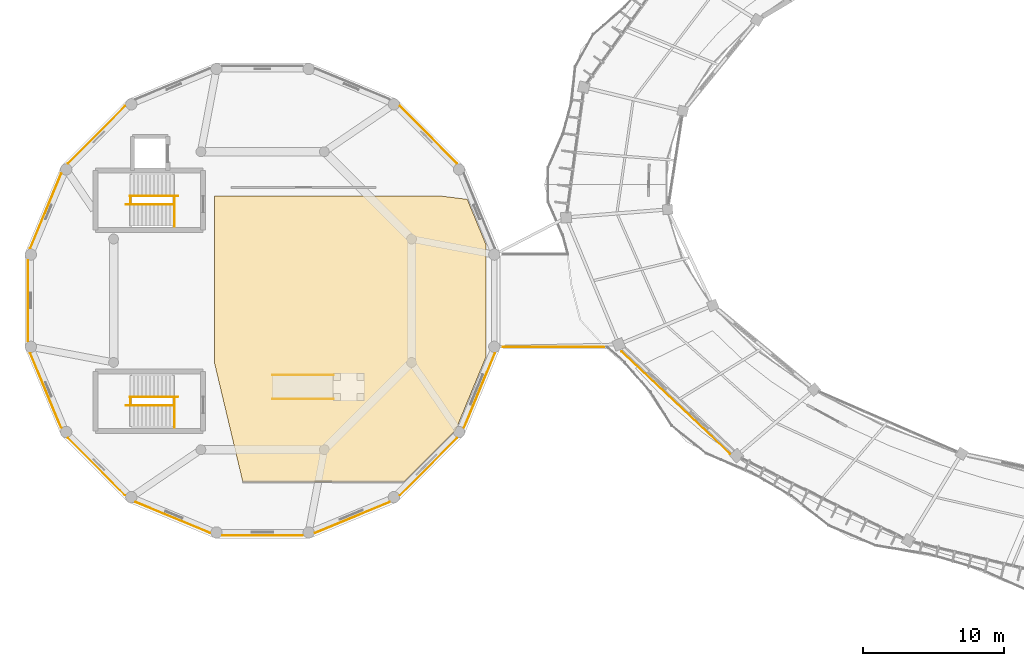
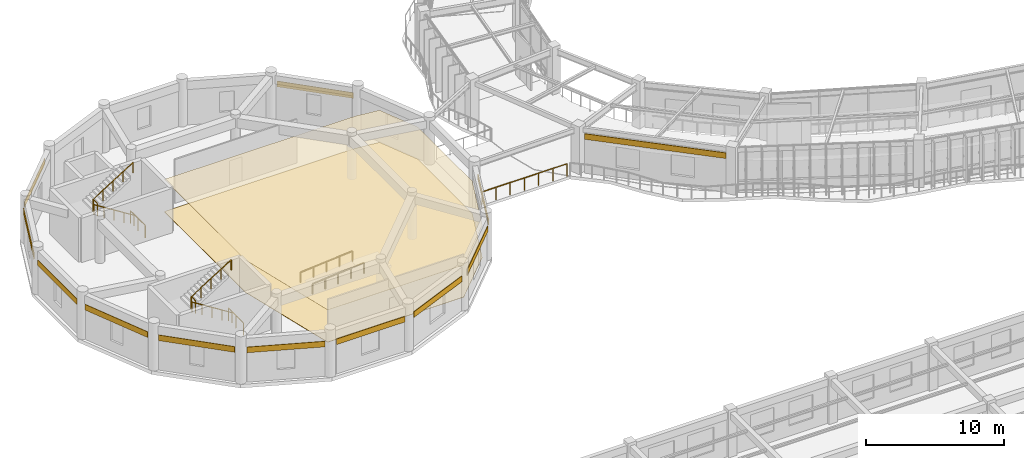
# One storey, part 142 of 152: 14 coverings, 11 railings.
"""IFC4 building model written with IfcOpenShell, lengths in metres."""

import ifcopenshell
import ifcopenshell.guid

model = None  # the IFC model being written
_history = None  # IfcOwnerHistory: only IFC2X3 demands one
_inside = {}  # id of a spatial element -> (the spatial element, [elements in it])
_under = {}  # id of a project, library or spatial element -> (it, [spatial elements below it])
_declared = {}  # id of a project -> (the project, [libraries it declares])
_typed = {}  # id of a type object -> (the type object, [elements of that type])
_made_of = {}  # id of a material, layer set ... -> (it, [elements and type objects made of it])


def new_model(schema):
    """Start an empty IFC model of exactly this schema.

    Asked for "IFC4X3", IfcOpenShell would pick the latest addendum, in which some entities
    have other attributes; the version numbers below select the first issue.
    IFC2X3 requires an IfcOwnerHistory on every rooted entity: one is made here for all.
    """
    global model, _history
    if schema == "IFC4X3":
        model = ifcopenshell.file(schema_version=(4, 3, 0, 0))
    else:
        model = ifcopenshell.file(schema=schema)
    _inside.clear()
    _under.clear()
    _declared.clear()
    _typed.clear()
    _made_of.clear()
    _history = None
    if model.schema == "IFC2X3":
        org = make("IfcOrganization", Name="unknown")
        user = make(
            "IfcPersonAndOrganization",
            ThePerson=make("IfcPerson", FamilyName="unknown"),
            TheOrganization=org,
        )
        app = make(
            "IfcApplication",
            ApplicationDeveloper=org,
            Version="unknown",
            ApplicationFullName="unknown",
            ApplicationIdentifier="unknown",
        )
        _history = make(
            "IfcOwnerHistory",
            OwningUser=user,
            OwningApplication=app,
            ChangeAction="ADDED",
            CreationDate=0,
        )
    return model


def make(cls, **values):
    """One entity of the class cls with the attributes given. An attribute that is None is left unset."""
    return model.create_entity(
        cls, **{name: value for name, value in values.items() if value is not None}
    )


def rooted(cls, **values):
    """An entity with a GlobalId (a new one), such as an element, a storey or a relation."""
    return make(cls, GlobalId=ifcopenshell.guid.new(), OwnerHistory=_history, **values)


def si_unit(unit_type, name, prefix=None):
    """IfcSIUnit, for example si_unit("LENGTHUNIT", "METRE", prefix="MILLI")."""
    return make("IfcSIUnit", UnitType=unit_type, Prefix=prefix, Name=name)


def assignment(units):
    """IfcUnitAssignment: the units of a project."""
    return None if units is None else make("IfcUnitAssignment", Units=units)


def point(xyz):
    """IfcCartesianPoint."""
    return None if xyz is None else make("IfcCartesianPoint", Coordinates=xyz)


def direction(xyz):
    """IfcDirection."""
    return None if xyz is None else make("IfcDirection", DirectionRatios=xyz)


def frame(location, z_axis=None, x_axis=None):
    """IfcAxis2Placement3D, a coordinate frame: its origin and axes. An axis left out is left unset."""
    return make(
        "IfcAxis2Placement3D",
        Location=point(location),
        Axis=direction(z_axis),
        RefDirection=direction(x_axis),
    )


def frame_2d(location, x_axis=None):
    """IfcAxis2Placement2D, a coordinate frame in the plane: its origin and x axis."""
    return make(
        "IfcAxis2Placement2D", Location=point(location), RefDirection=direction(x_axis)
    )


def origin():
    """The frame at (0, 0, 0) with its axes left unset."""
    return frame((0.0, 0.0, 0.0))


def origin_2d():
    """The frame at (0, 0) in the plane with its x axis left unset."""
    return frame_2d((0.0, 0.0))


def place(relative_to, where):
    """IfcLocalPlacement: puts the frame where relative to a parent placement (None: the world)."""
    return make(
        "IfcLocalPlacement", PlacementRelTo=relative_to, RelativePlacement=where
    )


def context(
    kind, dimensions, precision=None, world=None, true_north=None, identifier=None
):
    """IfcGeometricRepresentationContext, for example the 3D "Model" context."""
    return make(
        "IfcGeometricRepresentationContext",
        ContextIdentifier=identifier,
        ContextType=kind,
        CoordinateSpaceDimension=dimensions,
        Precision=precision,
        WorldCoordinateSystem=world,
        TrueNorth=true_north,
    )


def subcontext(parent, identifier, kind, view, scale=None):
    """IfcGeometricRepresentationSubContext, for example "Body" below "Model"."""
    return make(
        "IfcGeometricRepresentationSubContext",
        ContextIdentifier=identifier,
        ContextType=kind,
        ParentContext=parent,
        TargetScale=scale,
        TargetView=view,
    )


def project(units=None, contexts=None):
    """IfcProject with its units and contexts."""
    return rooted(
        "IfcProject",
        Name="project",
        RepresentationContexts=contexts,
        UnitsInContext=assignment(units),
    )


def spatial(cls, under=None, at=None, **own):
    """A site, building, storey or space (cls), placed at a placement, below another one or the project."""
    s = rooted(cls, ObjectPlacement=at, **own)
    if under is not None:
        _under.setdefault(under.id(), (under, []))[1].append(s)
    return s


def polyline(points):
    """IfcPolyline through the points."""
    return make("IfcPolyline", Points=[point(p) for p in points])


def profile(cls, at=None, kind="AREA", **sizes):
    """A parametric profile (cls). Its sizes go by their IFC names, for example OverallWidth=200.0."""
    return make(cls, ProfileType=kind, Position=at, **sizes)


def circle(**sizes):
    """IfcCircleProfileDef."""
    return profile("IfcCircleProfileDef", **sizes)


def outline(outer, holes=None, kind="AREA"):
    """IfcArbitraryClosedProfileDef: a profile drawn as a closed curve; with holes, ...WithVoids."""
    if holes is None:
        return make("IfcArbitraryClosedProfileDef", ProfileType=kind, OuterCurve=outer)
    return make(
        "IfcArbitraryProfileDefWithVoids",
        ProfileType=kind,
        OuterCurve=outer,
        InnerCurves=holes,
    )


def extrude(swept, where, along, depth):
    """IfcExtrudedAreaSolid: the profile swept, set in the frame where, extruded along a direction by depth."""
    return make(
        "IfcExtrudedAreaSolid",
        SweptArea=swept,
        Position=where,
        ExtrudedDirection=direction(along),
        Depth=depth,
    )


def shape(context_of_items, identifier, shape_type, items):
    """IfcShapeRepresentation: the items that make up one representation, for example the "Body"."""
    return make(
        "IfcShapeRepresentation",
        ContextOfItems=context_of_items,
        RepresentationIdentifier=identifier,
        RepresentationType=shape_type,
        Items=items,
    )


def material(Name=None, Category=None):
    """IfcMaterial."""
    return make("IfcMaterial", Name=Name, Category=Category)


def layer(
    of_material, thickness, ventilated=None, Name=None, Category=None, Priority=None
):
    """IfcMaterialLayer: one layer of a wall or slab, of a material (None: an air gap)."""
    return make(
        "IfcMaterialLayer",
        Material=of_material,
        LayerThickness=thickness,
        IsVentilated=ventilated,
        Name=Name,
        Category=Category,
        Priority=Priority,
    )


def layer_set(layers, Name=None):
    """IfcMaterialLayerSet."""
    return make("IfcMaterialLayerSet", MaterialLayers=layers, LayerSetName=Name)


def made_of(thing, what):
    """Note that an element or type object is made of a material, layer set ...; save() writes the relation."""
    if what is not None:
        _made_of.setdefault(what.id(), (what, []))[1].append(thing)
    return thing


def type_object(cls, material=None, **own):
    """A type object (cls), such as IfcWallType, which elements share."""
    return made_of(rooted(cls, **own), material)


def element(
    cls,
    number,
    at=None,
    inside=None,
    cuts=None,
    type_object=None,
    material=None,
    context=None,
    identifier="Body",
    shape_type=None,
    held_by="IfcProductDefinitionShape",
    body=None,
    shapes=None,
    **own,
):
    """One element of the class cls, such as IfcWall. Its Tag is "e" and its number.

    at: its placement. inside: the storey or other place that contains it. cuts: it is an
    opening in that element (IfcRelVoidsElement). A single representation is given by context,
    identifier, shape_type and body (its items); several are given by shapes. held_by: the class
    of the entity that holds the representations. save() writes the other relations.
    """
    e = rooted(cls, Tag="e%d" % number, ObjectPlacement=at, **own)
    if body is not None:
        shapes = [shape(context, identifier, shape_type, body)]
    if shapes is not None:
        e.Representation = make(held_by, Representations=shapes)
    if inside is not None:
        _inside.setdefault(inside.id(), (inside, []))[1].append(e)
    if cuts is not None:
        rooted(
            "IfcRelVoidsElement", RelatingBuildingElement=cuts, RelatedOpeningElement=e
        )
    if type_object is not None:
        _typed.setdefault(type_object.id(), (type_object, []))[1].append(e)
    return made_of(e, material)


def aggregate(whole, parts):
    """IfcRelAggregates: a whole, such as a stair, and the parts it consists of."""
    return rooted("IfcRelAggregates", RelatingObject=whole, RelatedObjects=parts)


def save(model, path):
    """Write the relations noted so far, then the file.

    IfcRelAggregates (storeys below a building ...), IfcRelContainedInSpatialStructure (elements
    in a storey), IfcRelDefinesByType, IfcRelAssociatesMaterial and IfcRelDeclares: one each for
    every whole, place, type object, material and project.
    """
    for whole, parts in _under.values():
        aggregate(whole, parts)
    for where, things in _inside.values():
        rooted(
            "IfcRelContainedInSpatialStructure",
            RelatedElements=things,
            RelatingStructure=where,
        )
    for kind, things in _typed.values():
        rooted("IfcRelDefinesByType", RelatedObjects=things, RelatingType=kind)
    for what, things in _made_of.values():
        rooted("IfcRelAssociatesMaterial", RelatedObjects=things, RelatingMaterial=what)
    for by, libraries in _declared.values():
        rooted("IfcRelDeclares", RelatingContext=by, RelatedDefinitions=libraries)
    model.write(path)


model = new_model("IFC4")

# Units and contexts
model_context = context("Model", 3, precision=1e-05, world=origin(), true_north=direction((0.0, 1.0)))
body_context = subcontext(model_context, "Body", "Model", "MODEL_VIEW")
ifc_project = project(units=[si_unit("LENGTHUNIT", "METRE"), si_unit("AREAUNIT", "SQUARE_METRE"), si_unit("VOLUMEUNIT", "CUBIC_METRE"), si_unit("PLANEANGLEUNIT", "RADIAN"), si_unit("MASSUNIT", "GRAM", prefix="KILO"), si_unit("THERMODYNAMICTEMPERATUREUNIT", "KELVIN"), si_unit("POWERUNIT", "WATT")], contexts=[model_context])

# Site, building, storey
site_placement = place(None, origin())
site = spatial("IfcSite", under=ifc_project, at=site_placement, CompositionType="ELEMENT")
building_placement = place(site_placement, origin())
building = spatial("IfcBuilding", under=site, at=building_placement, Name="Darbajah Civic Hall", CompositionType="ELEMENT")
storey_placement = place(building_placement, frame((0.0, 0.0, 5.39990234375)))
storey = spatial("IfcBuildingStorey", under=building, at=storey_placement, Name="L01", CompositionType="ELEMENT", Elevation=5.39990234375)

# Railings
ifc_material_1 = material(Name="Brushed Bronze Stainless Steel", Category="steel")
railing_type_1 = type_object("IfcRailingType", Name="Brushed Bronze Handrail", PredefinedType="HANDRAIL", material=ifc_material_1)
railing_1_placement = place(storey_placement, frame((10.52001953125, 88.39990234375, 0.175048828125)))
element("IfcRailing", 1, at=railing_1_placement, inside=storey, type_object=railing_type_1, Name="ST04 L01 lower flight handrail", PredefinedType="HANDRAIL", context=body_context, shape_type="SweptSolid", body=[
    extrude(circle(Radius=0.02392578125, at=origin_2d()), frame((-0.023193359375, 0.0, 0.910400390625), z_axis=(-0.845944288966, 0.0, 0.533271281775), x_axis=(0.0, -1.0, 0.0)), (0.0, 0.0, 1.0), 3.91748046875),
    extrude(circle(Radius=0.02099609375, at=origin_2d()), origin(), (0.0, 0.0, 1.0), 0.867919921875),
    extrude(circle(Radius=0.02099609375, at=origin_2d()), frame((-0.840087890625, 0.0, 0.529541015625)), (0.0, 0.0, 1.0), 0.867919921875),
    extrude(circle(Radius=0.02099609375, at=origin_2d()), frame((-1.68017578125, 0.0, 1.05908203125)), (0.0, 0.0, 1.0), 0.867919921875),
    extrude(circle(Radius=0.02099609375, at=origin_2d()), frame((-2.52001953125, 0.0, 1.588623046875)), (0.0, 0.0, 1.0), 0.867919921875),
    extrude(circle(Radius=0.02099609375, at=origin_2d()), frame((-3.360107421875, 0.0, 2.1181640625)), (0.0, 0.0, 1.0), 0.867919921875),
])
railing_2_placement = place(storey_placement, frame((7.43994140625, 89.0, 2.275146484375)))
element("IfcRailing", 2, at=railing_2_placement, inside=storey, type_object=railing_type_1, Name="ST04 L01 upper flight handrail", PredefinedType="HANDRAIL", context=body_context, shape_type="SweptSolid", body=[
    extrude(circle(Radius=0.02392578125, at=origin_2d()), frame((0.023193359375, 0.0, 0.910400390625), z_axis=(0.845944288966, 0.0, 0.533271281775), x_axis=(0.0, 1.0, 0.0)), (0.0, 0.0, 1.0), 3.91748046875),
    extrude(circle(Radius=0.02099609375, at=origin_2d()), origin(), (0.0, 0.0, 1.0), 0.867919921875),
    extrude(circle(Radius=0.02099609375, at=origin_2d()), frame((0.840087890625, 0.0, 0.529541015625)), (0.0, 0.0, 1.0), 0.867919921875),
    extrude(circle(Radius=0.02099609375, at=origin_2d()), frame((1.68017578125, 0.0, 1.05908203125)), (0.0, 0.0, 1.0), 0.867919921875),
    extrude(circle(Radius=0.02099609375, at=origin_2d()), frame((2.52001953125, 0.0, 1.588623046875)), (0.0, 0.0, 1.0), 0.867919921875),
    extrude(circle(Radius=0.02099609375, at=origin_2d()), frame((3.360107421875, 0.0, 2.1181640625)), (0.0, 0.0, 1.0), 0.867919921875),
])
railing_3_placement = place(storey_placement, frame((10.52001953125, 74.199951171875, 0.175048828125)))
element("IfcRailing", 3, at=railing_3_placement, inside=storey, type_object=railing_type_1, Name="ST05 L01 lower flight handrail", PredefinedType="HANDRAIL", context=body_context, shape_type="SweptSolid", body=[
    extrude(circle(Radius=0.02392578125, at=origin_2d()), frame((-0.023193359375, 0.0, 0.910400390625), z_axis=(-0.845944288966, 0.0, 0.533271281775), x_axis=(0.0, -1.0, 0.0)), (0.0, 0.0, 1.0), 3.91748046875),
    extrude(circle(Radius=0.02099609375, at=origin_2d()), origin(), (0.0, 0.0, 1.0), 0.867919921875),
    extrude(circle(Radius=0.02099609375, at=origin_2d()), frame((-0.840087890625, 0.0, 0.529541015625)), (0.0, 0.0, 1.0), 0.867919921875),
    extrude(circle(Radius=0.02099609375, at=origin_2d()), frame((-1.68017578125, 0.0, 1.05908203125)), (0.0, 0.0, 1.0), 0.867919921875),
    extrude(circle(Radius=0.02099609375, at=origin_2d()), frame((-2.52001953125, 0.0, 1.588623046875)), (0.0, 0.0, 1.0), 0.867919921875),
    extrude(circle(Radius=0.02099609375, at=origin_2d()), frame((-3.360107421875, 0.0, 2.1181640625)), (0.0, 0.0, 1.0), 0.867919921875),
])
railing_4_placement = place(storey_placement, frame((7.43994140625, 74.800048828125, 2.275146484375)))
element("IfcRailing", 4, at=railing_4_placement, inside=storey, type_object=railing_type_1, Name="ST05 L01 upper flight handrail", PredefinedType="HANDRAIL", context=body_context, shape_type="SweptSolid", body=[
    extrude(circle(Radius=0.02392578125, at=origin_2d()), frame((0.023193359375, 0.0, 0.910400390625), z_axis=(0.845944288966, 0.0, 0.533271281775), x_axis=(0.0, 1.0, 0.0)), (0.0, 0.0, 1.0), 3.91748046875),
    extrude(circle(Radius=0.02099609375, at=origin_2d()), origin(), (0.0, 0.0, 1.0), 0.867919921875),
    extrude(circle(Radius=0.02099609375, at=origin_2d()), frame((0.840087890625, 0.0, 0.529541015625)), (0.0, 0.0, 1.0), 0.867919921875),
    extrude(circle(Radius=0.02099609375, at=origin_2d()), frame((1.68017578125, 0.0, 1.05908203125)), (0.0, 0.0, 1.0), 0.867919921875),
    extrude(circle(Radius=0.02099609375, at=origin_2d()), frame((2.52001953125, 0.0, 1.588623046875)), (0.0, 0.0, 1.0), 0.867919921875),
    extrude(circle(Radius=0.02099609375, at=origin_2d()), frame((3.360107421875, 0.0, 2.1181640625)), (0.0, 0.0, 1.0), 0.867919921875),
])
for number, where, name in (
    (5, (17.5, 74.64990234375, 0.0), "Council Chamber Mayoral Dais Ramp handrail A"),
    (6, (17.5, 76.35009765625, 0.0), "Council Chamber Mayoral Dais Ramp handrail B"),
):
    element("IfcRailing", number, at=place(storey_placement, frame(where)), inside=storey, type_object=railing_type_1, Name=name, PredefinedType="HANDRAIL", context=body_context, shape_type="SweptSolid", body=[
        extrude(circle(Radius=0.02392578125, at=origin_2d()), frame((0.027099609375, 0.0, 0.898193359375), z_axis=(0.996543815979, 0.0, 0.083068783756), x_axis=(0.0, 1.0, 0.0)), (0.0, 0.0, 1.0), 4.280517578125),
        extrude(circle(Radius=0.02099609375, at=origin_2d()), origin(), (0.0, 0.0, 1.0), 0.867919921875),
        extrude(circle(Radius=0.02099609375, at=origin_2d()), frame((1.080078125, 0.0, 0.090087890625)), (0.0, 0.0, 1.0), 0.867919921875),
        extrude(circle(Radius=0.02099609375, at=origin_2d()), frame((2.16015625, 0.0, 0.18017578125)), (0.0, 0.0, 1.0), 0.867919921875),
        extrude(circle(Radius=0.02099609375, at=origin_2d()), frame((3.239990234375, 0.0, 0.27001953125)), (0.0, 0.0, 1.0), 0.867919921875),
        extrude(circle(Radius=0.02099609375, at=origin_2d()), frame((4.320068359375, 0.0, 0.360107421875)), (0.0, 0.0, 1.0), 0.867919921875),
    ])
ifc_material_2 = material(Name="Anodised Bronze Aluminium and Laminated Safety Glass", Category="aluminium")
railing_type_2 = type_object("IfcRailingType", Name="Exterior Terrace Balustrade Guard", PredefinedType="BALUSTRADE", material=ifc_material_2)
railing_5_placement = place(storey_placement, frame((33.78662109375, 78.320068359375, 0.0)))
element("IfcRailing", 7, at=railing_5_placement, inside=storey, type_object=railing_type_2, Name="L01 West link walk south guard", PredefinedType="BALUSTRADE", context=body_context, shape_type="SweptSolid", body=[
    extrude(circle(Radius=0.02392578125, at=origin_2d()), frame((0.02734375, 0.0, 1.09619140625), z_axis=(1.0, 0.0, 0.0), x_axis=(0.0, 1.0, 0.0)), (0.0, 0.0, 1.0), 7.073486328125),
    extrude(circle(Radius=0.02099609375, at=origin_2d()), origin(), (0.0, 0.0, 1.0), 1.068115234375),
    extrude(circle(Radius=0.02099609375, at=origin_2d()), frame((1.18798828125, 0.0, 0.0)), (0.0, 0.0, 1.0), 1.068115234375),
    extrude(circle(Radius=0.02099609375, at=origin_2d()), frame((2.3759765625, 0.0, 0.0)), (0.0, 0.0, 1.0), 1.068115234375),
    extrude(circle(Radius=0.02099609375, at=origin_2d()), frame((3.56396484375, 0.0, 0.0)), (0.0, 0.0, 1.0), 1.068115234375),
    extrude(circle(Radius=0.02099609375, at=origin_2d()), frame((4.752197265625, 0.0, 0.0)), (0.0, 0.0, 1.0), 1.068115234375),
    extrude(circle(Radius=0.02099609375, at=origin_2d()), frame((5.940185546875, 0.0, 0.0)), (0.0, 0.0, 1.0), 1.068115234375),
    extrude(circle(Radius=0.02099609375, at=origin_2d()), frame((7.128173828125, 0.0, 0.0)), (0.0, 0.0, 1.0), 1.068115234375),
])

# Covering
ifc_material_3 = material(Name="Honed Qatari Limestone Terrazzo", Category="masonry")
ifc_layer_1 = layer(ifc_material_3, 0.030029296875, Name="Honed Qatari Limestone Terrazzo")
ifc_layer_set_1 = layer_set([ifc_layer_1], Name="Honed Qatari Limestone Terrazzo")
covering_type_1 = type_object("IfcCoveringType", Name="Honed Qatari Limestone Terrazzo Flooring", PredefinedType="FLOORING", material=ifc_layer_set_1)
covering_1_placement = place(storey_placement, origin())
element("IfcCovering", 8, at=covering_1_placement, inside=storey, type_object=covering_type_1, Name="L01 stone terrazzo flooring L01-V2-01", PredefinedType="FLOORING", context=body_context, shape_type="SweptSolid", body=[
    extrude(outline(polyline([(13.39990234375, 77.199951171875), (13.39990234375, 89.0), (29.39990234375, 89.0), (31.268798828125, 88.766357421875), (32.60009765625, 85.552978515625), (32.60009765625, 77.647216796875), (30.45751953125, 72.474365234375), (26.782958984375, 68.800048828125), (15.39990234375, 68.800048828125), (13.39990234375, 77.199951171875)])), origin(), (0.0, 0.0, 1.0), 0.030029296875),
])

# Railings
ifc_material_4 = material(Name="Brushed Bronze and Laminated Safety Glass", Category="glass")
railing_type_3 = type_object("IfcRailingType", Name="Interior Guard Balustrade", PredefinedType="BALUSTRADE", material=ifc_material_4)
railing_6_placement = place(storey_placement, frame((10.570068359375, 86.85009765625, 0.0)))
element("IfcRailing", 9, at=railing_6_placement, inside=storey, type_object=railing_type_3, Name="ST04 L01 stair-well edge guard", PredefinedType="BALUSTRADE", context=body_context, shape_type="SweptSolid", body=[
    extrude(circle(Radius=0.02392578125, at=origin_2d()), frame((0.0, 0.02734375, 1.09619140625), z_axis=(0.0, 1.0, 0.0), x_axis=(-1.0, 0.0, 0.0)), (0.0, 0.0, 1.0), 2.09521484375),
    extrude(circle(Radius=0.02099609375, at=origin_2d()), origin(), (0.0, 0.0, 1.0), 1.068115234375),
    extrude(circle(Radius=0.02099609375, at=origin_2d()), frame((0.0, 1.074951171875, 0.0)), (0.0, 0.0, 1.0), 1.068115234375),
    extrude(circle(Radius=0.02099609375, at=origin_2d()), frame((0.0, 2.14990234375, 0.0)), (0.0, 0.0, 1.0), 1.068115234375),
])
railing_7_placement = place(storey_placement, frame((7.4599609375, 88.39990234375, 2.10009765625)))
element("IfcRailing", 10, at=railing_7_placement, inside=storey, type_object=railing_type_3, Name="ST04 L01 landing well guard", PredefinedType="BALUSTRADE", context=body_context, shape_type="SweptSolid", body=[
    extrude(circle(Radius=0.02392578125, at=origin_2d()), frame((0.0, 0.02734375, 1.09619140625), z_axis=(0.0, 1.0, 0.0), x_axis=(-1.0, 0.0, 0.0)), (0.0, 0.0, 1.0), 0.54541015625),
    extrude(circle(Radius=0.02099609375, at=origin_2d()), origin(), (0.0, 0.0, 1.0), 1.068115234375),
    extrude(circle(Radius=0.02099609375, at=origin_2d()), frame((0.0, 0.60009765625, 0.0)), (0.0, 0.0, 1.0), 1.068115234375),
])
railing_8_placement = place(storey_placement, frame((10.570068359375, 72.64990234375, 0.0)))
element("IfcRailing", 11, at=railing_8_placement, inside=storey, type_object=railing_type_3, Name="ST05 L01 stair-well edge guard", PredefinedType="BALUSTRADE", context=body_context, shape_type="SweptSolid", body=[
    extrude(circle(Radius=0.02392578125, at=origin_2d()), frame((0.0, 0.02734375, 1.09619140625), z_axis=(0.0, 1.0, 0.0), x_axis=(-1.0, 0.0, 0.0)), (0.0, 0.0, 1.0), 2.095458984375),
    extrude(circle(Radius=0.02099609375, at=origin_2d()), origin(), (0.0, 0.0, 1.0), 1.068115234375),
    extrude(circle(Radius=0.02099609375, at=origin_2d()), frame((0.0, 1.0751953125, 0.0)), (0.0, 0.0, 1.0), 1.068115234375),
    extrude(circle(Radius=0.02099609375, at=origin_2d()), frame((0.0, 2.150146484375, 0.0)), (0.0, 0.0, 1.0), 1.068115234375),
])
railing_9_placement = place(storey_placement, frame((7.4599609375, 74.199951171875, 2.10009765625)))
element("IfcRailing", 12, at=railing_9_placement, inside=storey, type_object=railing_type_3, Name="ST05 L01 landing well guard", PredefinedType="BALUSTRADE", context=body_context, shape_type="SweptSolid", body=[
    extrude(circle(Radius=0.02392578125, at=origin_2d()), frame((0.0, 0.02734375, 1.09619140625), z_axis=(0.0, 1.0, 0.0), x_axis=(-1.0, 0.0, 0.0)), (0.0, 0.0, 1.0), 0.54541015625),
    extrude(circle(Radius=0.02099609375, at=origin_2d()), origin(), (0.0, 0.0, 1.0), 1.068115234375),
    extrude(circle(Radius=0.02099609375, at=origin_2d()), frame((0.0, 0.60009765625, 0.0)), (0.0, 0.0, 1.0), 1.068115234375),
])

# Coverings
ifc_material_5 = material(Name="Qatari Desert Limestone Ashlar", Category="masonry")
ifc_layer_2 = layer(ifc_material_5, 0.044921875, Name="Qatari Desert Limestone Ashlar")
ifc_layer_set_2 = layer_set([ifc_layer_2], Name="Qatari Desert Limestone Ashlar")
covering_type_2 = type_object("IfcCoveringType", Name="Limestone Facade Cladding", PredefinedType="CLADDING", material=ifc_layer_set_2)
covering_2_placement = place(storey_placement, frame((0.0, 0.0, 3.02001953125)))
element("IfcCovering", 13, at=covering_2_placement, inside=storey, type_object=covering_type_2, Name="L01 stone frieze cladding EW-V1O-L01-11", PredefinedType="CLADDING", context=body_context, shape_type="SweptSolid", body=[
    extrude(outline(polyline([(42.199951171875, 78.0166015625), (49.873291015625, 70.7734375), (49.842529296875, 70.74072265625), (42.1689453125, 77.98388671875), (42.199951171875, 78.0166015625)])), origin(), (0.0, 0.0, 1.0), 0.5),
])
covering_3_placement = place(storey_placement, frame((0.0, 0.0, 2.630126953125)))
element("IfcCovering", 14, at=covering_3_placement, inside=storey, type_object=covering_type_2, Name="L01 stone frieze cladding EW-V2-L01-01", PredefinedType="CLADDING", context=body_context, shape_type="SweptSolid", body=[
    extrude(outline(polyline([(30.536376953125, 91.297119140625), (26.497314453125, 95.33642578125), (26.529052734375, 95.3681640625), (30.568115234375, 91.3291015625), (30.536376953125, 91.297119140625)])), origin(), (0.0, 0.0, 1.0), 0.5),
])
covering_4_placement = place(storey_placement, frame((0.0, 0.0, 2.630126953125)))
element("IfcCovering", 15, at=covering_4_placement, inside=storey, type_object=covering_type_2, Name="L01 stone frieze cladding EW-V2-L01-05", PredefinedType="CLADDING", context=body_context, shape_type="SweptSolid", body=[
    extrude(outline(polyline([(7.102783203125, 95.33642578125), (3.063720703125, 91.297119140625), (3.03173828125, 91.3291015625), (7.071044921875, 95.3681640625), (7.102783203125, 95.33642578125)])), origin(), (0.0, 0.0, 1.0), 0.5),
])
covering_5_placement = place(storey_placement, frame((0.0, 0.0, 2.630126953125)))
element("IfcCovering", 16, at=covering_5_placement, inside=storey, type_object=covering_type_2, Name="L01 stone frieze cladding EW-V2-L01-06", PredefinedType="CLADDING", context=body_context, shape_type="SweptSolid", body=[
    extrude(outline(polyline([(2.58447265625, 90.579833984375), (0.398193359375, 85.30224609375), (0.356689453125, 85.319580078125), (2.542724609375, 90.596923828125), (2.58447265625, 90.579833984375)])), origin(), (0.0, 0.0, 1.0), 0.5),
])
covering_6_placement = place(storey_placement, frame((0.0, 0.0, 2.630126953125)))
element("IfcCovering", 17, at=covering_6_placement, inside=storey, type_object=covering_type_2, Name="L01 stone frieze cladding EW-V2-L01-07", PredefinedType="CLADDING", context=body_context, shape_type="SweptSolid", body=[
    extrude(outline(polyline([(0.22998046875, 84.456298828125), (0.22998046875, 78.743896484375), (0.18505859375, 78.743896484375), (0.18505859375, 84.456298828125), (0.22998046875, 84.456298828125)])), origin(), (0.0, 0.0, 1.0), 0.5),
])
covering_7_placement = place(storey_placement, frame((0.0, 0.0, 2.630126953125)))
element("IfcCovering", 18, at=covering_7_placement, inside=storey, type_object=covering_type_2, Name="L01 stone frieze cladding EW-V2-L01-08", PredefinedType="CLADDING", context=body_context, shape_type="SweptSolid", body=[
    extrude(outline(polyline([(0.398193359375, 77.897705078125), (2.58447265625, 72.6201171875), (2.542724609375, 72.60302734375), (0.356689453125, 77.880615234375), (0.398193359375, 77.897705078125)])), origin(), (0.0, 0.0, 1.0), 0.5),
])
covering_8_placement = place(storey_placement, frame((0.0, 0.0, 2.630126953125)))
element("IfcCovering", 19, at=covering_8_placement, inside=storey, type_object=covering_type_2, Name="L01 stone frieze cladding EW-V2-L01-09", PredefinedType="CLADDING", context=body_context, shape_type="SweptSolid", body=[
    extrude(outline(polyline([(3.063720703125, 71.90283203125), (7.102783203125, 67.863525390625), (7.071044921875, 67.831787109375), (3.03173828125, 71.87109375), (3.063720703125, 71.90283203125)])), origin(), (0.0, 0.0, 1.0), 0.5),
])
covering_9_placement = place(storey_placement, frame((0.0, 0.0, 2.630126953125)))
element("IfcCovering", 20, at=covering_9_placement, inside=storey, type_object=covering_type_2, Name="L01 stone frieze cladding EW-V2-L01-10", PredefinedType="CLADDING", context=body_context, shape_type="SweptSolid", body=[
    extrude(outline(polyline([(7.8203125, 67.384521484375), (13.09765625, 65.1982421875), (13.08056640625, 65.15673828125), (7.802978515625, 67.3427734375), (7.8203125, 67.384521484375)])), origin(), (0.0, 0.0, 1.0), 0.5),
])
covering_10_placement = place(storey_placement, frame((0.0, 0.0, 2.630126953125)))
element("IfcCovering", 21, at=covering_10_placement, inside=storey, type_object=covering_type_2, Name="L01 stone frieze cladding EW-V2-L01-11", PredefinedType="CLADDING", context=body_context, shape_type="SweptSolid", body=[
    extrude(outline(polyline([(13.94384765625, 65.030029296875), (19.65625, 65.030029296875), (19.65625, 64.985107421875), (13.94384765625, 64.985107421875), (13.94384765625, 65.030029296875)])), origin(), (0.0, 0.0, 1.0), 0.5),
])
covering_11_placement = place(storey_placement, frame((0.0, 0.0, 2.630126953125)))
element("IfcCovering", 22, at=covering_11_placement, inside=storey, type_object=covering_type_2, Name="L01 stone frieze cladding EW-V2-L01-12", PredefinedType="CLADDING", context=body_context, shape_type="SweptSolid", body=[
    extrude(outline(polyline([(20.502197265625, 65.1982421875), (25.77978515625, 67.384521484375), (25.797119140625, 67.3427734375), (20.51953125, 65.15673828125), (20.502197265625, 65.1982421875)])), origin(), (0.0, 0.0, 1.0), 0.5),
])
covering_12_placement = place(storey_placement, frame((0.0, 0.0, 2.630126953125)))
element("IfcCovering", 23, at=covering_12_placement, inside=storey, type_object=covering_type_2, Name="L01 stone frieze cladding EW-V2-L01-13", PredefinedType="CLADDING", context=body_context, shape_type="SweptSolid", body=[
    extrude(outline(polyline([(26.497314453125, 67.863525390625), (30.536376953125, 71.90283203125), (30.568115234375, 71.87109375), (26.529052734375, 67.831787109375), (26.497314453125, 67.863525390625)])), origin(), (0.0, 0.0, 1.0), 0.5),
])
covering_13_placement = place(storey_placement, frame((0.0, 0.0, 2.630126953125)))
element("IfcCovering", 24, at=covering_13_placement, inside=storey, type_object=covering_type_2, Name="L01 stone frieze cladding EW-V2-L01-14", PredefinedType="CLADDING", context=body_context, shape_type="SweptSolid", body=[
    extrude(outline(polyline([(31.015625, 72.6201171875), (33.20166015625, 77.897705078125), (33.243408203125, 77.880615234375), (31.05712890625, 72.60302734375), (31.015625, 72.6201171875)])), origin(), (0.0, 0.0, 1.0), 0.5),
])
ifc_material_6 = material(Name="Perforated Acoustic Gypsum Board")
ifc_layer_3 = layer(ifc_material_6, 0.02490234375, Name="Perforated Acoustic Gypsum Board")
ifc_layer_set_3 = layer_set([ifc_layer_3], Name="Perforated Acoustic Gypsum Board")
covering_type_3 = type_object("IfcCoveringType", Name="Perforated Acoustic Gypsum Ceiling", PredefinedType="CEILING", material=ifc_layer_set_3)
covering_14_placement = place(storey_placement, frame((0.0, 0.0, 2.85009765625)))
element("IfcCovering", 25, at=covering_14_placement, inside=storey, type_object=covering_type_3, Name="L01 acoustic suspended ceiling L01-V2-01", PredefinedType="CEILING", context=body_context, shape_type="SweptSolid", body=[
    extrude(outline(polyline([(13.39990234375, 77.199951171875), (13.39990234375, 89.0), (29.39990234375, 89.0), (31.268798828125, 88.766357421875), (32.60009765625, 85.552978515625), (32.60009765625, 77.647216796875), (30.45751953125, 72.474365234375), (26.782958984375, 68.800048828125), (15.39990234375, 68.800048828125), (13.39990234375, 77.199951171875)])), origin(), (0.0, 0.0, 1.0), 0.02490234375),
])

save(model, "model.ifc")
